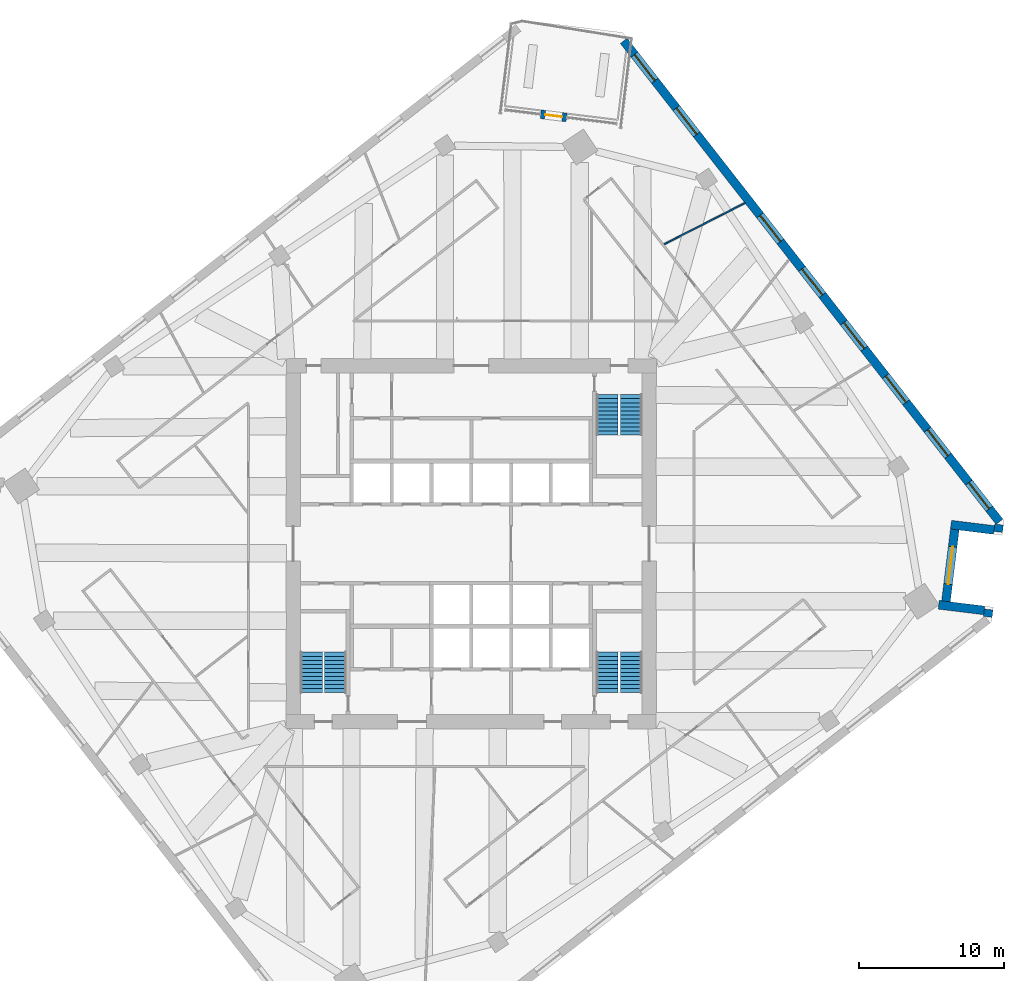
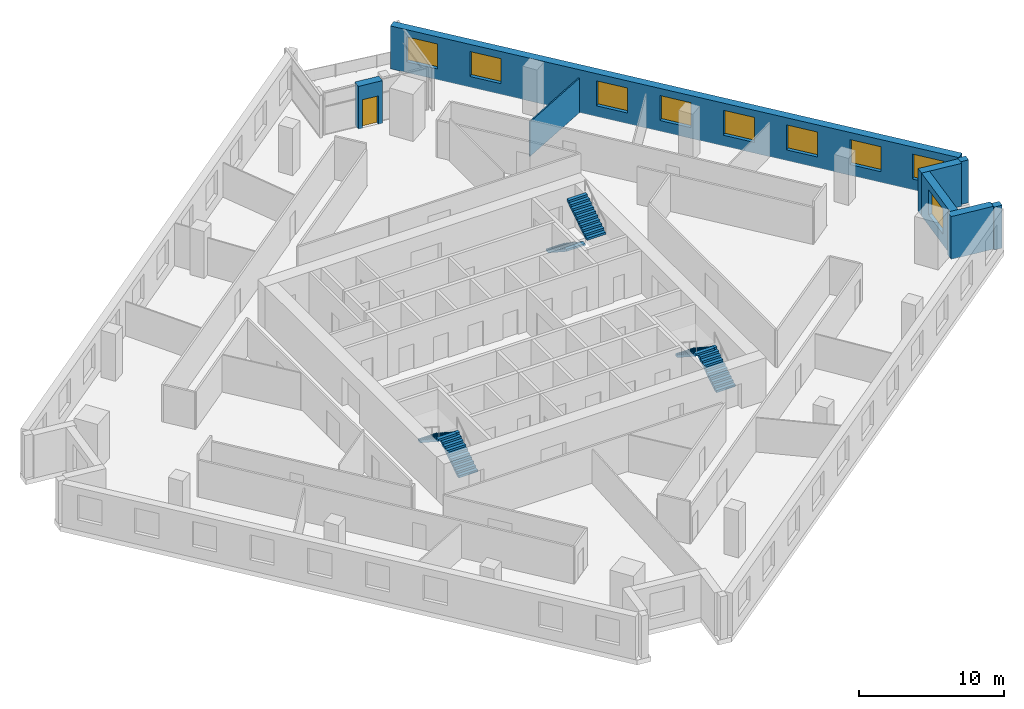
# One storey, part 9 of 11: 9 windows, 8 walls, 6 stair flights, 1 door, 10 openings, 3 elements without a shape of their own.
"""IFC4 building model written with IfcOpenShell, lengths in metres."""

from ifc_helpers import new_model, si_unit, direction, frame, frame_2d, origin, place, context, subcontext, project, spatial, polyline, rectangle, outline, extrude, material, layer, layer_set, type_object, element, fill, aggregate, save


model = new_model("IFC4")

# Units and contexts
model_context = context("Model", 3, precision=1e-05, world=origin(), true_north=direction((0.0, 1.0)))
body_context = subcontext(model_context, "Body", "Model", "MODEL_VIEW")
ifc_project = project(units=[si_unit("LENGTHUNIT", "METRE"), si_unit("AREAUNIT", "SQUARE_METRE"), si_unit("VOLUMEUNIT", "CUBIC_METRE"), si_unit("PLANEANGLEUNIT", "RADIAN"), si_unit("MASSUNIT", "GRAM", prefix="KILO")], contexts=[model_context])

# Site, building, storey
site_placement = place(None, origin())
site = spatial("IfcSite", under=ifc_project, at=site_placement, CompositionType="ELEMENT")
building_placement = place(site_placement, origin())
building = spatial("IfcBuilding", under=site, at=building_placement, Name="Dilmun Exchange Tower", CompositionType="ELEMENT")
storey_placement = place(building_placement, frame((0.0, 0.0, 175.699951171875)))
storey = spatial("IfcBuildingStorey", under=building, at=storey_placement, Name="L41", CompositionType="ELEMENT", Elevation=175.699951171875)

# Walls
ifc_material_1 = material(Name="Partition 100")
ifc_layer_1 = layer(ifc_material_1, 0.10009765625)
ifc_layer_set_1 = layer_set([ifc_layer_1], Name="Partition 100")
wall_type_1 = type_object("IfcWallType", Name="Partition 100", PredefinedType="PARTITIONING", material=ifc_layer_set_1)
wall_1_placement = place(storey_placement, frame((13.32958984375, 20.6962890625, 0.0), z_axis=(0.0, 0.0, 1.0), x_axis=(0.890489061699, 0.455004649421, 0.0)))
element("IfcWall", 1, at=wall_1_placement, inside=storey, type_object=wall_type_1, Name="Partition", PredefinedType="PARTITIONING", context=body_context, shape_type="SweptSolid", body=[
    extrude(rectangle(XDim=6.26611328125, YDim=0.10009765625, at=frame_2d((3.133056640625, 0.0))), origin(), (0.0, 0.0, 1.0), 2.900146484375),
])
ifc_material_2 = material(Name="Precast concrete C50/60", Category="concrete")
ifc_layer_2 = layer(ifc_material_2, 0.60009765625)
ifc_layer_set_2 = layer_set([ifc_layer_2], Name="Precast concrete C50/60")
wall_type_2 = type_object("IfcWallType", Name="Precast stone-clad wall 600", PredefinedType="STANDARD", material=ifc_layer_set_2)
wall_2_placement = place(storey_placement, frame((35.695556640625, -5.053466796875, 0.0), z_axis=(0.0, 0.0, 1.0), x_axis=(0.121800492671, 0.992554603024, 0.0)))
element("IfcWall", 2, at=wall_2_placement, inside=storey, type_object=wall_type_2, Name="Facade wall L41-16", PredefinedType="STANDARD", context=body_context, shape_type="SweptSolid", body=[
    extrude(rectangle(XDim=0.51123046875, YDim=0.60009765625, at=frame_2d((0.255615234375, 0.0))), origin(), (0.0, 0.0, 1.0), 3.60009765625),
])
wall_3_placement = place(storey_placement, frame((35.44775390625, -4.60888671875, 0.0), z_axis=(0.0, 0.0, 1.0), x_axis=(-0.992542310393, 0.12190062379, 0.0)))
element("IfcWall", 3, at=wall_3_placement, inside=storey, type_object=wall_type_2, Name="Facade wall L41-17", PredefinedType="STANDARD", context=body_context, shape_type="SweptSolid", body=[
    extrude(rectangle(XDim=3.16845703125, YDim=0.60009765625, at=frame_2d((1.584228515625, 0.0))), origin(), (0.0, 0.0, 1.0), 3.60009765625),
])

# Wall, opening, window
wall_4_placement = place(storey_placement, frame((32.804443359375, -3.98193359375, 0.0), z_axis=(0.0, 0.0, 1.0), x_axis=(0.121876954874, 0.992545217041, 0.0)))
wall_4 = element("IfcWall", 4, at=wall_4_placement, inside=storey, type_object=wall_type_2, Name="Facade wall L41-18", PredefinedType="STANDARD", context=body_context, shape_type="SweptSolid", body=[
    extrude(rectangle(XDim=5.0, YDim=0.60009765625, at=frame_2d((2.5, 0.0))), origin(), (0.0, 0.0, 1.0), 3.60009765625),
])
opening_1_placement = place(wall_4_placement, frame((1.199951171875, 0.0, 0.89990234375)))
opening_1 = element("IfcOpeningElement", 5, at=opening_1_placement, cuts=wall_4, Name="Opening W260-210", PredefinedType="OPENING", context=body_context, shape_type="SweptSolid", body=[
    extrude(rectangle(XDim=2.60009765625, YDim=2.10009765625, at=frame_2d((1.300048828125, 1.050048828125))), frame((0.0, 0.31005859375, 0.0), z_axis=(0.0, -1.0, 0.0), x_axis=(1.0, 0.0, 0.0)), (0.0, 0.0, 1.0), 0.6201171875),
])
ifc_material_3 = material(Name="Clear low-emissivity glass in aluminium frame", Category="aluminium")
window_type_1 = type_object("IfcWindowType", Name="Punched window 2600 x 2100", PartitioningType="DOUBLE_PANEL_VERTICAL", PredefinedType="WINDOW", material=ifc_material_3)
window_1_placement = place(opening_1_placement, origin())
window_1 = element("IfcWindow", 6, at=window_1_placement, inside=storey, type_object=window_type_1, Name="Window 19.1", OverallHeight=2.10009765625, OverallWidth=2.60009765625, PartitioningType="SINGLE_PANEL", PredefinedType="WINDOW", context=body_context, shape_type="SweptSolid", body=[
    extrude(rectangle(XDim=2.60009765625, YDim=2.10009765625, at=frame_2d((1.300048828125, 1.050048828125))), frame((0.0, 0.030029296875, 0.0), z_axis=(0.0, -1.0, 0.0), x_axis=(1.0, 0.0, 0.0)), (0.0, 0.0, 1.0), 0.06005859375),
])
fill(opening_1, window_1)

# Walls
wall_5_placement = place(storey_placement, frame((33.152587890625, 1.315185546875, 0.0), z_axis=(0.0, 0.0, 1.0), x_axis=(0.992542246186, -0.121901146576, 0.0)))
element("IfcWall", 7, at=wall_5_placement, inside=storey, type_object=wall_type_2, Name="Facade wall L41-19", PredefinedType="STANDARD", context=body_context, shape_type="SweptSolid", body=[
    extrude(rectangle(XDim=3.000244140625, YDim=0.60009765625, at=frame_2d((1.5, 0.0))), origin(), (0.0, 0.0, 1.0), 3.60009765625),
])
wall_6_placement = place(storey_placement, frame((36.416015625, 0.813720703125, 0.0), z_axis=(0.0, 0.0, 1.0), x_axis=(0.121800492671, 0.992554603024, 0.0)))
element("IfcWall", 8, at=wall_6_placement, inside=storey, type_object=wall_type_2, Name="Facade wall L41-20", PredefinedType="STANDARD", context=body_context, shape_type="SweptSolid", body=[
    extrude(rectangle(XDim=0.51123046875, YDim=0.60009765625, at=frame_2d((0.255615234375, 0.0))), origin(), (0.0, 0.0, 1.0), 3.60009765625),
])

# Wall, openings, windows
wall_7_placement = place(storey_placement, frame((36.502685546875, 1.51953125, 0.0), z_axis=(0.0, 0.0, 1.0), x_axis=(-0.615660779349, 0.788011297363, 0.0)))
wall_7 = element("IfcWall", 9, at=wall_7_placement, inside=storey, type_object=wall_type_2, Name="Facade wall L41-21", PredefinedType="STANDARD", context=body_context, shape_type="SweptSolid", body=[
    extrude(rectangle(XDim=42.176025390625, YDim=0.60009765625, at=frame_2d((21.087890625, 0.0))), origin(), (0.0, 0.0, 1.0), 3.60009765625),
])
opening_2_placement = place(wall_7_placement, frame((1.137939453125, 0.0, 0.89990234375)))
opening_2 = element("IfcOpeningElement", 10, at=opening_2_placement, cuts=wall_7, Name="Opening W230-210", PredefinedType="OPENING", context=body_context, shape_type="SweptSolid", body=[
    extrude(rectangle(XDim=2.300048828125, YDim=2.10009765625, at=frame_2d((1.14990234375, 1.050048828125))), frame((0.0, 0.31005859375, 0.0), z_axis=(0.0, -1.0, 0.0), x_axis=(1.0, 0.0, 0.0)), (0.0, 0.0, 1.0), 0.6201171875),
])
opening_3_placement = place(wall_7_placement, frame((5.775634765625, 0.0, 0.89990234375)))
opening_3 = element("IfcOpeningElement", 11, at=opening_3_placement, cuts=wall_7, Name="Opening W230-210", PredefinedType="OPENING", context=body_context, shape_type="SweptSolid", body=[
    extrude(rectangle(XDim=2.300048828125, YDim=2.10009765625, at=frame_2d((1.14990234375, 1.050048828125))), frame((0.0, 0.31005859375, 0.0), z_axis=(0.0, -1.0, 0.0), x_axis=(1.0, 0.0, 0.0)), (0.0, 0.0, 1.0), 0.6201171875),
])
opening_4_placement = place(wall_7_placement, frame((10.4755859375, 0.0, 0.89990234375)))
opening_4 = element("IfcOpeningElement", 12, at=opening_4_placement, cuts=wall_7, Name="Opening W230-210", PredefinedType="OPENING", context=body_context, shape_type="SweptSolid", body=[
    extrude(rectangle(XDim=2.300048828125, YDim=2.10009765625, at=frame_2d((1.14990234375, 1.050048828125))), frame((0.0, 0.31005859375, 0.0), z_axis=(0.0, -1.0, 0.0), x_axis=(1.0, 0.0, 0.0)), (0.0, 0.0, 1.0), 0.6201171875),
])
opening_5_placement = place(wall_7_placement, frame((15.17578125, 0.0, 0.89990234375)))
opening_5 = element("IfcOpeningElement", 13, at=opening_5_placement, cuts=wall_7, Name="Opening W230-210", PredefinedType="OPENING", context=body_context, shape_type="SweptSolid", body=[
    extrude(rectangle(XDim=2.300048828125, YDim=2.10009765625, at=frame_2d((1.14990234375, 1.050048828125))), frame((0.0, 0.31005859375, 0.0), z_axis=(0.0, -1.0, 0.0), x_axis=(1.0, 0.0, 0.0)), (0.0, 0.0, 1.0), 0.6201171875),
])
opening_6_placement = place(wall_7_placement, frame((19.875732421875, 0.0, 0.89990234375)))
opening_6 = element("IfcOpeningElement", 14, at=opening_6_placement, cuts=wall_7, Name="Opening W230-210", PredefinedType="OPENING", context=body_context, shape_type="SweptSolid", body=[
    extrude(rectangle(XDim=2.300048828125, YDim=2.10009765625, at=frame_2d((1.14990234375, 1.050048828125))), frame((0.0, 0.31005859375, 0.0), z_axis=(0.0, -1.0, 0.0), x_axis=(1.0, 0.0, 0.0)), (0.0, 0.0, 1.0), 0.6201171875),
])
opening_7_placement = place(wall_7_placement, frame((24.57568359375, 0.0, 0.89990234375)))
opening_7 = element("IfcOpeningElement", 15, at=opening_7_placement, cuts=wall_7, Name="Opening W230-210", PredefinedType="OPENING", context=body_context, shape_type="SweptSolid", body=[
    extrude(rectangle(XDim=2.300048828125, YDim=2.10009765625, at=frame_2d((1.14990234375, 1.050048828125))), frame((0.0, 0.31005859375, 0.0), z_axis=(0.0, -1.0, 0.0), x_axis=(1.0, 0.0, 0.0)), (0.0, 0.0, 1.0), 0.6201171875),
])
opening_8_placement = place(wall_7_placement, frame((33.9755859375, 0.0, 0.89990234375)))
opening_8 = element("IfcOpeningElement", 16, at=opening_8_placement, cuts=wall_7, Name="Opening W230-210", PredefinedType="OPENING", context=body_context, shape_type="SweptSolid", body=[
    extrude(rectangle(XDim=2.300048828125, YDim=2.10009765625, at=frame_2d((1.14990234375, 1.050048828125))), frame((0.0, 0.31005859375, 0.0), z_axis=(0.0, -1.0, 0.0), x_axis=(1.0, 0.0, 0.0)), (0.0, 0.0, 1.0), 0.6201171875),
])
opening_9_placement = place(wall_7_placement, frame((38.67578125, 0.0, 0.89990234375)))
opening_9 = element("IfcOpeningElement", 17, at=opening_9_placement, cuts=wall_7, Name="Opening W230-210", PredefinedType="OPENING", context=body_context, shape_type="SweptSolid", body=[
    extrude(rectangle(XDim=2.300048828125, YDim=2.10009765625, at=frame_2d((1.14990234375, 1.050048828125))), frame((0.0, 0.31005859375, 0.0), z_axis=(0.0, -1.0, 0.0), x_axis=(1.0, 0.0, 0.0)), (0.0, 0.0, 1.0), 0.6201171875),
])
window_type_2 = type_object("IfcWindowType", Name="Punched window 2300 x 2100", PartitioningType="DOUBLE_PANEL_VERTICAL", PredefinedType="WINDOW", material=ifc_material_3)
window_2_placement = place(opening_2_placement, origin())
window_2 = element("IfcWindow", 18, at=window_2_placement, inside=storey, type_object=window_type_2, Name="Window 22.1", OverallHeight=2.10009765625, OverallWidth=2.300048828125, PartitioningType="SINGLE_PANEL", PredefinedType="WINDOW", context=body_context, shape_type="SweptSolid", body=[
    extrude(rectangle(XDim=2.300048828125, YDim=2.10009765625, at=frame_2d((1.14990234375, 1.050048828125))), frame((0.0, 0.030029296875, 0.0), z_axis=(0.0, -1.0, 0.0), x_axis=(1.0, 0.0, 0.0)), (0.0, 0.0, 1.0), 0.06005859375),
])
fill(opening_2, window_2)
window_3_placement = place(opening_3_placement, origin())
window_3 = element("IfcWindow", 19, at=window_3_placement, inside=storey, type_object=window_type_2, Name="Window 22.2", OverallHeight=2.10009765625, OverallWidth=2.300048828125, PartitioningType="SINGLE_PANEL", PredefinedType="WINDOW", context=body_context, shape_type="SweptSolid", body=[
    extrude(rectangle(XDim=2.300048828125, YDim=2.10009765625, at=frame_2d((1.14990234375, 1.050048828125))), frame((0.0, 0.030029296875, 0.0), z_axis=(0.0, -1.0, 0.0), x_axis=(1.0, 0.0, 0.0)), (0.0, 0.0, 1.0), 0.06005859375),
])
fill(opening_3, window_3)
window_4_placement = place(opening_4_placement, origin())
window_4 = element("IfcWindow", 20, at=window_4_placement, inside=storey, type_object=window_type_2, Name="Window 22.3", OverallHeight=2.10009765625, OverallWidth=2.300048828125, PartitioningType="SINGLE_PANEL", PredefinedType="WINDOW", context=body_context, shape_type="SweptSolid", body=[
    extrude(rectangle(XDim=2.300048828125, YDim=2.10009765625, at=frame_2d((1.14990234375, 1.050048828125))), frame((0.0, 0.030029296875, 0.0), z_axis=(0.0, -1.0, 0.0), x_axis=(1.0, 0.0, 0.0)), (0.0, 0.0, 1.0), 0.06005859375),
])
fill(opening_4, window_4)
window_5_placement = place(opening_5_placement, origin())
window_5 = element("IfcWindow", 21, at=window_5_placement, inside=storey, type_object=window_type_2, Name="Window 22.4", OverallHeight=2.10009765625, OverallWidth=2.300048828125, PartitioningType="SINGLE_PANEL", PredefinedType="WINDOW", context=body_context, shape_type="SweptSolid", body=[
    extrude(rectangle(XDim=2.300048828125, YDim=2.10009765625, at=frame_2d((1.14990234375, 1.050048828125))), frame((0.0, 0.030029296875, 0.0), z_axis=(0.0, -1.0, 0.0), x_axis=(1.0, 0.0, 0.0)), (0.0, 0.0, 1.0), 0.06005859375),
])
fill(opening_5, window_5)
window_6_placement = place(opening_6_placement, origin())
window_6 = element("IfcWindow", 22, at=window_6_placement, inside=storey, type_object=window_type_2, Name="Window 22.5", OverallHeight=2.10009765625, OverallWidth=2.300048828125, PartitioningType="SINGLE_PANEL", PredefinedType="WINDOW", context=body_context, shape_type="SweptSolid", body=[
    extrude(rectangle(XDim=2.300048828125, YDim=2.10009765625, at=frame_2d((1.14990234375, 1.050048828125))), frame((0.0, 0.030029296875, 0.0), z_axis=(0.0, -1.0, 0.0), x_axis=(1.0, 0.0, 0.0)), (0.0, 0.0, 1.0), 0.06005859375),
])
fill(opening_6, window_6)
window_7_placement = place(opening_7_placement, origin())
window_7 = element("IfcWindow", 23, at=window_7_placement, inside=storey, type_object=window_type_2, Name="Window 22.6", OverallHeight=2.10009765625, OverallWidth=2.300048828125, PartitioningType="SINGLE_PANEL", PredefinedType="WINDOW", context=body_context, shape_type="SweptSolid", body=[
    extrude(rectangle(XDim=2.300048828125, YDim=2.10009765625, at=frame_2d((1.14990234375, 1.050048828125))), frame((0.0, 0.030029296875, 0.0), z_axis=(0.0, -1.0, 0.0), x_axis=(1.0, 0.0, 0.0)), (0.0, 0.0, 1.0), 0.06005859375),
])
fill(opening_7, window_7)
window_8_placement = place(opening_8_placement, origin())
window_8 = element("IfcWindow", 24, at=window_8_placement, inside=storey, type_object=window_type_2, Name="Window 22.8", OverallHeight=2.10009765625, OverallWidth=2.300048828125, PartitioningType="SINGLE_PANEL", PredefinedType="WINDOW", context=body_context, shape_type="SweptSolid", body=[
    extrude(rectangle(XDim=2.300048828125, YDim=2.10009765625, at=frame_2d((1.14990234375, 1.050048828125))), frame((0.0, 0.030029296875, 0.0), z_axis=(0.0, -1.0, 0.0), x_axis=(1.0, 0.0, 0.0)), (0.0, 0.0, 1.0), 0.06005859375),
])
fill(opening_8, window_8)
window_9_placement = place(opening_9_placement, origin())
window_9 = element("IfcWindow", 25, at=window_9_placement, inside=storey, type_object=window_type_2, Name="Window 22.9", OverallHeight=2.10009765625, OverallWidth=2.300048828125, PartitioningType="SINGLE_PANEL", PredefinedType="WINDOW", context=body_context, shape_type="SweptSolid", body=[
    extrude(rectangle(XDim=2.300048828125, YDim=2.10009765625, at=frame_2d((1.14990234375, 1.050048828125))), frame((0.0, 0.030029296875, 0.0), z_axis=(0.0, -1.0, 0.0), x_axis=(1.0, 0.0, 0.0)), (0.0, 0.0, 1.0), 0.06005859375),
])
fill(opening_9, window_9)

# Wall, opening, door
wall_8_placement = place(storey_placement, frame((6.585205078125, 29.46240234375, 0.0), z_axis=(0.0, 0.0, 1.0), x_axis=(-0.992554965996, 0.121797534772, 0.0)))
wall_8 = element("IfcWall", 26, at=wall_8_placement, inside=storey, type_object=wall_type_2, Name="Facade wall L41-01-D", PredefinedType="STANDARD", context=body_context, shape_type="SweptSolid", body=[
    extrude(rectangle(XDim=1.800048828125, YDim=0.60009765625, at=frame_2d((0.89990234375, 0.0))), origin(), (0.0, 0.0, 1.0), 3.60009765625),
])
opening_10_placement = place(wall_8_placement, frame((0.300048828125, 0.0, 0.0)))
opening_10 = element("IfcOpeningElement", 27, at=opening_10_placement, cuts=wall_8, Name="Opening GD-1", PredefinedType="OPENING", context=body_context, shape_type="SweptSolid", body=[
    extrude(rectangle(XDim=1.199951171875, YDim=2.39990234375, at=frame_2d((0.60009765625, 1.199951171875))), frame((0.0, 0.31005859375, 0.0), z_axis=(0.0, -1.0, 0.0), x_axis=(1.0, 0.0, 0.0)), (0.0, 0.0, 1.0), 0.6201171875),
])
door_type = type_object("IfcDoorType", Name="Glazed garden door 1200 x 2400", OperationType="SINGLE_SWING_LEFT", PredefinedType="DOOR", material=ifc_material_3)
door_placement = place(opening_10_placement, origin())
door = element("IfcDoor", 28, at=door_placement, inside=storey, type_object=door_type, Name="Garden terrace door", OperationType="SINGLE_SWING_LEFT", OverallHeight=2.39990234375, OverallWidth=1.199951171875, PredefinedType="DOOR", context=body_context, shape_type="SweptSolid", body=[
    extrude(rectangle(XDim=1.199951171875, YDim=2.39990234375, at=frame_2d((0.60009765625, 1.199951171875))), frame((0.0, 0.02490234375, 0.0), z_axis=(0.0, -1.0, 0.0), x_axis=(1.0, 0.0, 0.0)), (0.0, 0.0, 1.0), 0.050048828125),
])
fill(opening_10, door)

# Stair, stair flights
ifc_material_4 = material(Name="Concrete C40/50", Category="concrete")
stair_type = type_object("IfcStairType", Name="Exit stair 1500 half-turn", PredefinedType="HALF_TURN_STAIR", material=ifc_material_4)
stair_1_placement = place(storey_placement, origin())
stair_1 = element("IfcStair", 29, at=stair_1_placement, inside=storey, type_object=stair_type, Name="L41 Protected exit stair ST1", PredefinedType="HALF_TURN_STAIR")
stair_flight_type = type_object("IfcStairFlightType", Name="Exit stair flight 1500", PredefinedType="STRAIGHT", material=ifc_material_4)
stair_flight_1_placement = place(storey_placement, frame((9.39990234375, 10.300048828125, 0.0), z_axis=(0.0, 0.0, 1.0), x_axis=(0.0, -1.0, 0.0)))
stair_flight_1 = element("IfcStairFlight", 30, at=stair_flight_1_placement, type_object=stair_flight_type, Name="ST1 flight 1", NumberOfRisers=11, NumberOfTreads=10, PredefinedType="STRAIGHT", RiserHeight=0.181818182, TreadLength=0.28, context=body_context, shape_type="SweptSolid", body=[
    extrude(outline(polyline([(0.0, 0.0), (0.0, 0.181884765625), (0.280029296875, 0.181884765625), (0.280029296875, 0.363525390625), (0.56005859375, 0.363525390625), (0.56005859375, 0.54541015625), (0.840087890625, 0.54541015625), (0.840087890625, 0.727294921875), (1.1201171875, 0.727294921875), (1.1201171875, 0.9091796875), (1.39990234375, 0.9091796875), (1.39990234375, 1.0908203125), (1.679931640625, 1.0908203125), (1.679931640625, 1.272705078125), (1.9599609375, 1.272705078125), (1.9599609375, 1.45458984375), (2.239990234375, 1.45458984375), (2.239990234375, 1.636474609375), (2.52001953125, 1.636474609375), (2.52001953125, 1.818115234375), (2.800048828125, 1.818115234375), (2.800048828125, 2.0), (2.800048828125, 1.639404296875), (0.275146484375, 0.0), (0.0, 0.0)])), frame((0.0, 0.75, 0.0), z_axis=(0.0, -1.0, 0.0), x_axis=(1.0, 0.0, 0.0)), (0.0, 0.0, 1.0), 1.5),
])
stair_flight_2_placement = place(storey_placement, frame((11.050048828125, 7.5, 2.0), z_axis=(0.0, 0.0, 1.0), x_axis=(0.0, 1.0, 0.0)))
stair_flight_2 = element("IfcStairFlight", 31, at=stair_flight_2_placement, type_object=stair_flight_type, Name="ST1 flight 2", NumberOfRisers=11, NumberOfTreads=10, PredefinedType="STRAIGHT", RiserHeight=0.181818182, TreadLength=0.28, context=body_context, shape_type="SweptSolid", body=[
    extrude(outline(polyline([(0.0, 0.0), (0.0, 0.181884765625), (0.280029296875, 0.181884765625), (0.280029296875, 0.363525390625), (0.56005859375, 0.363525390625), (0.56005859375, 0.54541015625), (0.840087890625, 0.54541015625), (0.840087890625, 0.727294921875), (1.1201171875, 0.727294921875), (1.1201171875, 0.9091796875), (1.39990234375, 0.9091796875), (1.39990234375, 1.0908203125), (1.679931640625, 1.0908203125), (1.679931640625, 1.272705078125), (1.9599609375, 1.272705078125), (1.9599609375, 1.45458984375), (2.239990234375, 1.45458984375), (2.239990234375, 1.636474609375), (2.52001953125, 1.636474609375), (2.52001953125, 1.818115234375), (2.800048828125, 1.818115234375), (2.800048828125, 2.0), (2.800048828125, 1.639404296875), (0.275146484375, 0.0), (0.0, 0.0)])), frame((0.0, 0.75, 0.0), z_axis=(0.0, -1.0, 0.0), x_axis=(1.0, 0.0, 0.0)), (0.0, 0.0, 1.0), 1.5),
])
aggregate(stair_1, [stair_flight_1, stair_flight_2])

stair_2_placement = place(storey_placement, origin())
stair_2 = element("IfcStair", 32, at=stair_2_placement, inside=storey, type_object=stair_type, Name="L41 Protected exit stair ST2", PredefinedType="HALF_TURN_STAIR")
stair_flight_3_placement = place(storey_placement, frame((-9.39990234375, -10.300048828125, 0.0), z_axis=(0.0, 0.0, 1.0), x_axis=(0.0, 1.0, 0.0)))
stair_flight_3 = element("IfcStairFlight", 33, at=stair_flight_3_placement, type_object=stair_flight_type, Name="ST2 flight 1", NumberOfRisers=11, NumberOfTreads=10, PredefinedType="STRAIGHT", RiserHeight=0.181818182, TreadLength=0.28, context=body_context, shape_type="SweptSolid", body=[
    extrude(outline(polyline([(0.0, 0.0), (0.0, 0.181884765625), (0.280029296875, 0.181884765625), (0.280029296875, 0.363525390625), (0.56005859375, 0.363525390625), (0.56005859375, 0.54541015625), (0.840087890625, 0.54541015625), (0.840087890625, 0.727294921875), (1.1201171875, 0.727294921875), (1.1201171875, 0.9091796875), (1.39990234375, 0.9091796875), (1.39990234375, 1.0908203125), (1.679931640625, 1.0908203125), (1.679931640625, 1.272705078125), (1.9599609375, 1.272705078125), (1.9599609375, 1.45458984375), (2.239990234375, 1.45458984375), (2.239990234375, 1.636474609375), (2.52001953125, 1.636474609375), (2.52001953125, 1.818115234375), (2.800048828125, 1.818115234375), (2.800048828125, 2.0), (2.800048828125, 1.639404296875), (0.275146484375, 0.0), (0.0, 0.0)])), frame((0.0, 0.75, 0.0), z_axis=(0.0, -1.0, 0.0), x_axis=(1.0, 0.0, 0.0)), (0.0, 0.0, 1.0), 1.5),
])
stair_flight_4_placement = place(storey_placement, frame((-11.050048828125, -7.5, 2.0), z_axis=(0.0, 0.0, 1.0), x_axis=(0.0, -1.0, 0.0)))
stair_flight_4 = element("IfcStairFlight", 34, at=stair_flight_4_placement, type_object=stair_flight_type, Name="ST2 flight 2", NumberOfRisers=11, NumberOfTreads=10, PredefinedType="STRAIGHT", RiserHeight=0.181818182, TreadLength=0.28, context=body_context, shape_type="SweptSolid", body=[
    extrude(outline(polyline([(0.0, 0.0), (0.0, 0.181884765625), (0.280029296875, 0.181884765625), (0.280029296875, 0.363525390625), (0.56005859375, 0.363525390625), (0.56005859375, 0.54541015625), (0.840087890625, 0.54541015625), (0.840087890625, 0.727294921875), (1.1201171875, 0.727294921875), (1.1201171875, 0.9091796875), (1.39990234375, 0.9091796875), (1.39990234375, 1.0908203125), (1.679931640625, 1.0908203125), (1.679931640625, 1.272705078125), (1.9599609375, 1.272705078125), (1.9599609375, 1.45458984375), (2.239990234375, 1.45458984375), (2.239990234375, 1.636474609375), (2.52001953125, 1.636474609375), (2.52001953125, 1.818115234375), (2.800048828125, 1.818115234375), (2.800048828125, 2.0), (2.800048828125, 1.639404296875), (0.275146484375, 0.0), (0.0, 0.0)])), frame((0.0, 0.75, 0.0), z_axis=(0.0, -1.0, 0.0), x_axis=(1.0, 0.0, 0.0)), (0.0, 0.0, 1.0), 1.5),
])
aggregate(stair_2, [stair_flight_3, stair_flight_4])

stair_3_placement = place(storey_placement, origin())
stair_3 = element("IfcStair", 35, at=stair_3_placement, inside=storey, type_object=stair_type, Name="L41 Protected exit stair ST3", PredefinedType="HALF_TURN_STAIR")
stair_flight_5_placement = place(storey_placement, frame((11.050048828125, -10.300048828125, 0.0), z_axis=(0.0, 0.0, 1.0), x_axis=(0.0, 1.0, 0.0)))
stair_flight_5 = element("IfcStairFlight", 36, at=stair_flight_5_placement, type_object=stair_flight_type, Name="ST3 flight 1", NumberOfRisers=11, NumberOfTreads=10, PredefinedType="STRAIGHT", RiserHeight=0.181818182, TreadLength=0.28, context=body_context, shape_type="SweptSolid", body=[
    extrude(outline(polyline([(0.0, 0.0), (0.0, 0.181884765625), (0.280029296875, 0.181884765625), (0.280029296875, 0.363525390625), (0.56005859375, 0.363525390625), (0.56005859375, 0.54541015625), (0.840087890625, 0.54541015625), (0.840087890625, 0.727294921875), (1.1201171875, 0.727294921875), (1.1201171875, 0.9091796875), (1.39990234375, 0.9091796875), (1.39990234375, 1.0908203125), (1.679931640625, 1.0908203125), (1.679931640625, 1.272705078125), (1.9599609375, 1.272705078125), (1.9599609375, 1.45458984375), (2.239990234375, 1.45458984375), (2.239990234375, 1.636474609375), (2.52001953125, 1.636474609375), (2.52001953125, 1.818115234375), (2.800048828125, 1.818115234375), (2.800048828125, 2.0), (2.800048828125, 1.639404296875), (0.275146484375, 0.0), (0.0, 0.0)])), frame((0.0, 0.75, 0.0), z_axis=(0.0, -1.0, 0.0), x_axis=(1.0, 0.0, 0.0)), (0.0, 0.0, 1.0), 1.5),
])
stair_flight_6_placement = place(storey_placement, frame((9.39990234375, -7.5, 2.0), z_axis=(0.0, 0.0, 1.0), x_axis=(0.0, -1.0, 0.0)))
stair_flight_6 = element("IfcStairFlight", 37, at=stair_flight_6_placement, type_object=stair_flight_type, Name="ST3 flight 2", NumberOfRisers=11, NumberOfTreads=10, PredefinedType="STRAIGHT", RiserHeight=0.181818182, TreadLength=0.28, context=body_context, shape_type="SweptSolid", body=[
    extrude(outline(polyline([(0.0, 0.0), (0.0, 0.181884765625), (0.280029296875, 0.181884765625), (0.280029296875, 0.363525390625), (0.56005859375, 0.363525390625), (0.56005859375, 0.54541015625), (0.840087890625, 0.54541015625), (0.840087890625, 0.727294921875), (1.1201171875, 0.727294921875), (1.1201171875, 0.9091796875), (1.39990234375, 0.9091796875), (1.39990234375, 1.0908203125), (1.679931640625, 1.0908203125), (1.679931640625, 1.272705078125), (1.9599609375, 1.272705078125), (1.9599609375, 1.45458984375), (2.239990234375, 1.45458984375), (2.239990234375, 1.636474609375), (2.52001953125, 1.636474609375), (2.52001953125, 1.818115234375), (2.800048828125, 1.818115234375), (2.800048828125, 2.0), (2.800048828125, 1.639404296875), (0.275146484375, 0.0), (0.0, 0.0)])), frame((0.0, 0.75, 0.0), z_axis=(0.0, -1.0, 0.0), x_axis=(1.0, 0.0, 0.0)), (0.0, 0.0, 1.0), 1.5),
])
aggregate(stair_3, [stair_flight_5, stair_flight_6])

save(model, "model.ifc")
